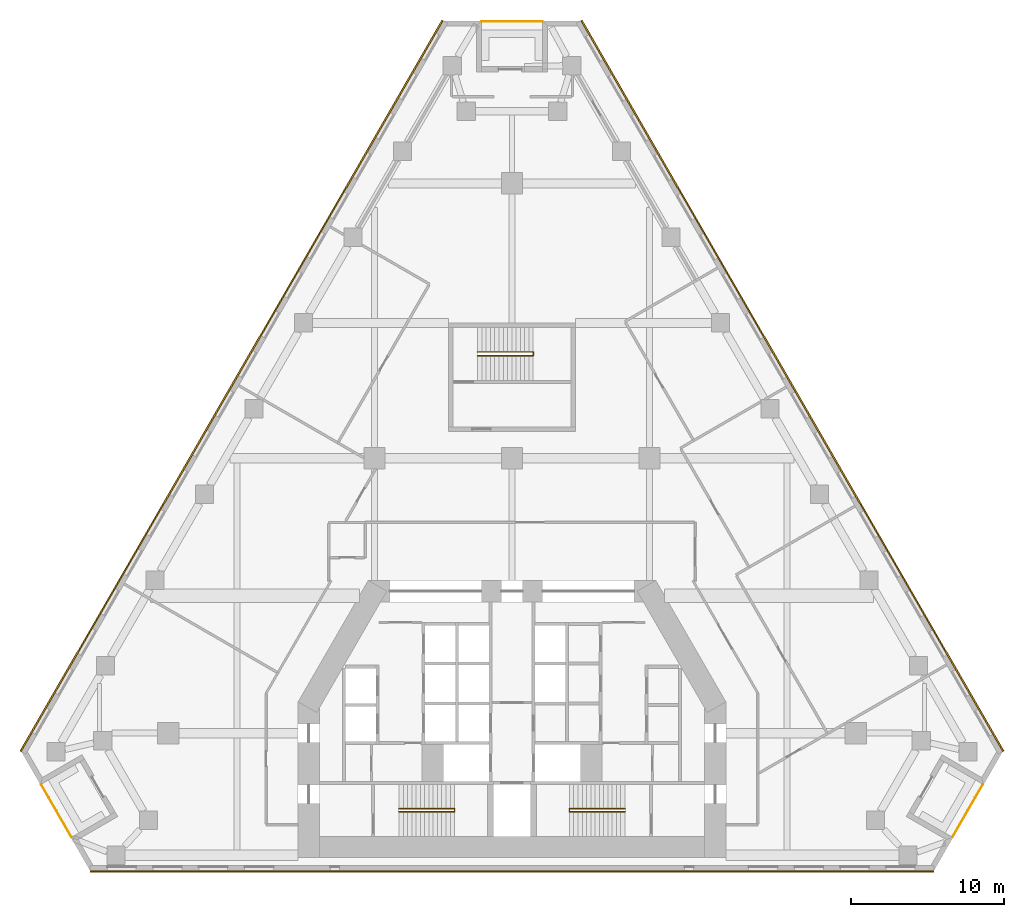
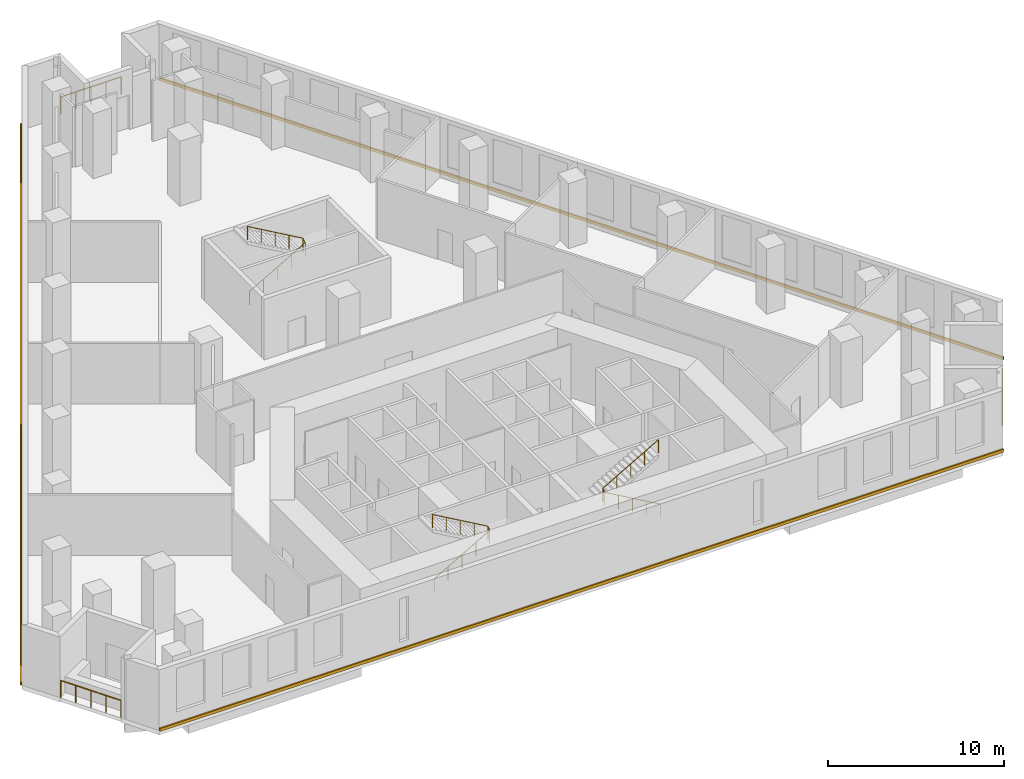
# One storey, part 10 of 10: 6 railings, 3 coverings.
"""IFC4 building model written with IfcOpenShell, lengths in metres."""

import ifcopenshell
import ifcopenshell.guid

model = None  # the IFC model being written
_history = None  # IfcOwnerHistory: only IFC2X3 demands one
_inside = {}  # id of a spatial element -> (the spatial element, [elements in it])
_under = {}  # id of a project, library or spatial element -> (it, [spatial elements below it])
_declared = {}  # id of a project -> (the project, [libraries it declares])
_typed = {}  # id of a type object -> (the type object, [elements of that type])
_made_of = {}  # id of a material, layer set ... -> (it, [elements and type objects made of it])


def new_model(schema):
    """Start an empty IFC model of exactly this schema.

    Asked for "IFC4X3", IfcOpenShell would pick the latest addendum, in which some entities
    have other attributes; the version numbers below select the first issue.
    IFC2X3 requires an IfcOwnerHistory on every rooted entity: one is made here for all.
    """
    global model, _history
    if schema == "IFC4X3":
        model = ifcopenshell.file(schema_version=(4, 3, 0, 0))
    else:
        model = ifcopenshell.file(schema=schema)
    _inside.clear()
    _under.clear()
    _declared.clear()
    _typed.clear()
    _made_of.clear()
    _history = None
    if model.schema == "IFC2X3":
        org = make("IfcOrganization", Name="unknown")
        user = make(
            "IfcPersonAndOrganization",
            ThePerson=make("IfcPerson", FamilyName="unknown"),
            TheOrganization=org,
        )
        app = make(
            "IfcApplication",
            ApplicationDeveloper=org,
            Version="unknown",
            ApplicationFullName="unknown",
            ApplicationIdentifier="unknown",
        )
        _history = make(
            "IfcOwnerHistory",
            OwningUser=user,
            OwningApplication=app,
            ChangeAction="ADDED",
            CreationDate=0,
        )
    return model


def make(cls, **values):
    """One entity of the class cls with the attributes given. An attribute that is None is left unset."""
    return model.create_entity(
        cls, **{name: value for name, value in values.items() if value is not None}
    )


def rooted(cls, **values):
    """An entity with a GlobalId (a new one), such as an element, a storey or a relation."""
    return make(cls, GlobalId=ifcopenshell.guid.new(), OwnerHistory=_history, **values)


def si_unit(unit_type, name, prefix=None):
    """IfcSIUnit, for example si_unit("LENGTHUNIT", "METRE", prefix="MILLI")."""
    return make("IfcSIUnit", UnitType=unit_type, Prefix=prefix, Name=name)


def assignment(units):
    """IfcUnitAssignment: the units of a project."""
    return None if units is None else make("IfcUnitAssignment", Units=units)


def point(xyz):
    """IfcCartesianPoint."""
    return None if xyz is None else make("IfcCartesianPoint", Coordinates=xyz)


def direction(xyz):
    """IfcDirection."""
    return None if xyz is None else make("IfcDirection", DirectionRatios=xyz)


def frame(location, z_axis=None, x_axis=None):
    """IfcAxis2Placement3D, a coordinate frame: its origin and axes. An axis left out is left unset."""
    return make(
        "IfcAxis2Placement3D",
        Location=point(location),
        Axis=direction(z_axis),
        RefDirection=direction(x_axis),
    )


def frame_2d(location, x_axis=None):
    """IfcAxis2Placement2D, a coordinate frame in the plane: its origin and x axis."""
    return make(
        "IfcAxis2Placement2D", Location=point(location), RefDirection=direction(x_axis)
    )


def origin():
    """The frame at (0, 0, 0) with its axes left unset."""
    return frame((0.0, 0.0, 0.0))


def origin_2d():
    """The frame at (0, 0) in the plane with its x axis left unset."""
    return frame_2d((0.0, 0.0))


def place(relative_to, where):
    """IfcLocalPlacement: puts the frame where relative to a parent placement (None: the world)."""
    return make(
        "IfcLocalPlacement", PlacementRelTo=relative_to, RelativePlacement=where
    )


def context(
    kind, dimensions, precision=None, world=None, true_north=None, identifier=None
):
    """IfcGeometricRepresentationContext, for example the 3D "Model" context."""
    return make(
        "IfcGeometricRepresentationContext",
        ContextIdentifier=identifier,
        ContextType=kind,
        CoordinateSpaceDimension=dimensions,
        Precision=precision,
        WorldCoordinateSystem=world,
        TrueNorth=true_north,
    )


def subcontext(parent, identifier, kind, view, scale=None):
    """IfcGeometricRepresentationSubContext, for example "Body" below "Model"."""
    return make(
        "IfcGeometricRepresentationSubContext",
        ContextIdentifier=identifier,
        ContextType=kind,
        ParentContext=parent,
        TargetScale=scale,
        TargetView=view,
    )


def project(units=None, contexts=None):
    """IfcProject with its units and contexts."""
    return rooted(
        "IfcProject",
        Name="project",
        RepresentationContexts=contexts,
        UnitsInContext=assignment(units),
    )


def spatial(cls, under=None, at=None, **own):
    """A site, building, storey or space (cls), placed at a placement, below another one or the project."""
    s = rooted(cls, ObjectPlacement=at, **own)
    if under is not None:
        _under.setdefault(under.id(), (under, []))[1].append(s)
    return s


def polyline(points):
    """IfcPolyline through the points."""
    return make("IfcPolyline", Points=[point(p) for p in points])


def profile(cls, at=None, kind="AREA", **sizes):
    """A parametric profile (cls). Its sizes go by their IFC names, for example OverallWidth=200.0."""
    return make(cls, ProfileType=kind, Position=at, **sizes)


def circle(**sizes):
    """IfcCircleProfileDef."""
    return profile("IfcCircleProfileDef", **sizes)


def outline(outer, holes=None, kind="AREA"):
    """IfcArbitraryClosedProfileDef: a profile drawn as a closed curve; with holes, ...WithVoids."""
    if holes is None:
        return make("IfcArbitraryClosedProfileDef", ProfileType=kind, OuterCurve=outer)
    return make(
        "IfcArbitraryProfileDefWithVoids",
        ProfileType=kind,
        OuterCurve=outer,
        InnerCurves=holes,
    )


def extrude(swept, where, along, depth):
    """IfcExtrudedAreaSolid: the profile swept, set in the frame where, extruded along a direction by depth."""
    return make(
        "IfcExtrudedAreaSolid",
        SweptArea=swept,
        Position=where,
        ExtrudedDirection=direction(along),
        Depth=depth,
    )


def shape(context_of_items, identifier, shape_type, items):
    """IfcShapeRepresentation: the items that make up one representation, for example the "Body"."""
    return make(
        "IfcShapeRepresentation",
        ContextOfItems=context_of_items,
        RepresentationIdentifier=identifier,
        RepresentationType=shape_type,
        Items=items,
    )


def material(Name=None, Category=None):
    """IfcMaterial."""
    return make("IfcMaterial", Name=Name, Category=Category)


def made_of(thing, what):
    """Note that an element or type object is made of a material, layer set ...; save() writes the relation."""
    if what is not None:
        _made_of.setdefault(what.id(), (what, []))[1].append(thing)
    return thing


def type_object(cls, material=None, **own):
    """A type object (cls), such as IfcWallType, which elements share."""
    return made_of(rooted(cls, **own), material)


def element(
    cls,
    number,
    at=None,
    inside=None,
    cuts=None,
    type_object=None,
    material=None,
    context=None,
    identifier="Body",
    shape_type=None,
    held_by="IfcProductDefinitionShape",
    body=None,
    shapes=None,
    **own,
):
    """One element of the class cls, such as IfcWall. Its Tag is "e" and its number.

    at: its placement. inside: the storey or other place that contains it. cuts: it is an
    opening in that element (IfcRelVoidsElement). A single representation is given by context,
    identifier, shape_type and body (its items); several are given by shapes. held_by: the class
    of the entity that holds the representations. save() writes the other relations.
    """
    e = rooted(cls, Tag="e%d" % number, ObjectPlacement=at, **own)
    if body is not None:
        shapes = [shape(context, identifier, shape_type, body)]
    if shapes is not None:
        e.Representation = make(held_by, Representations=shapes)
    if inside is not None:
        _inside.setdefault(inside.id(), (inside, []))[1].append(e)
    if cuts is not None:
        rooted(
            "IfcRelVoidsElement", RelatingBuildingElement=cuts, RelatedOpeningElement=e
        )
    if type_object is not None:
        _typed.setdefault(type_object.id(), (type_object, []))[1].append(e)
    return made_of(e, material)


def aggregate(whole, parts):
    """IfcRelAggregates: a whole, such as a stair, and the parts it consists of."""
    return rooted("IfcRelAggregates", RelatingObject=whole, RelatedObjects=parts)


def save(model, path):
    """Write the relations noted so far, then the file.

    IfcRelAggregates (storeys below a building ...), IfcRelContainedInSpatialStructure (elements
    in a storey), IfcRelDefinesByType, IfcRelAssociatesMaterial and IfcRelDeclares: one each for
    every whole, place, type object, material and project.
    """
    for whole, parts in _under.values():
        aggregate(whole, parts)
    for where, things in _inside.values():
        rooted(
            "IfcRelContainedInSpatialStructure",
            RelatedElements=things,
            RelatingStructure=where,
        )
    for kind, things in _typed.values():
        rooted("IfcRelDefinesByType", RelatedObjects=things, RelatingType=kind)
    for what, things in _made_of.values():
        rooted("IfcRelAssociatesMaterial", RelatedObjects=things, RelatingMaterial=what)
    for by, libraries in _declared.values():
        rooted("IfcRelDeclares", RelatingContext=by, RelatedDefinitions=libraries)
    model.write(path)


model = new_model("IFC4")

# Units and contexts
model_context = context("Model", 3, precision=1e-05, world=origin(), true_north=direction((0.0, 1.0)))
body_context = subcontext(model_context, "Body", "Model", "MODEL_VIEW")
ifc_project = project(units=[si_unit("LENGTHUNIT", "METRE"), si_unit("AREAUNIT", "SQUARE_METRE"), si_unit("VOLUMEUNIT", "CUBIC_METRE"), si_unit("PLANEANGLEUNIT", "RADIAN"), si_unit("MASSUNIT", "GRAM", prefix="KILO")], contexts=[model_context])

# Site, building, storey
site_placement = place(None, origin())
site = spatial("IfcSite", under=ifc_project, at=site_placement, CompositionType="ELEMENT")
building_placement = place(site_placement, origin())
building = spatial("IfcBuilding", under=site, at=building_placement, Name="Fogline Exchange Tower", CompositionType="ELEMENT")
storey_placement = place(building_placement, frame((0.0, 0.0, 38.5)))
storey = spatial("IfcBuildingStorey", under=building, at=storey_placement, Name="L07", CompositionType="ELEMENT", Elevation=38.5)

# Railings
ifc_material_1 = material(Name="Stainless steel 304", Category="steel")
railing_type_1 = type_object("IfcRailingType", Name="G1", PredefinedType="GUARDRAIL", material=ifc_material_1)
railing_1_placement = place(storey_placement, frame((-30.82373046875, 5.635986328125, 0.0)))
element("IfcRailing", 1, at=railing_1_placement, inside=storey, type_object=railing_type_1, Name="Balcony guard L07 SW", PredefinedType="GUARDRAIL", context=body_context, shape_type="SweptSolid", body=[
    extrude(circle(Radius=0.02392578125, at=origin_2d()), frame((0.0, 0.0, 1.17578125), z_axis=(0.500000102728, -0.866025344474, 0.0), x_axis=(0.866025344474, 0.500000102728, 0.0)), (0.0, 0.0, 1.0), 3.9580078125),
    extrude(circle(Radius=0.02099609375, at=origin_2d()), origin(), (0.0, 0.0, 1.0), 1.15185546875),
    extrude(circle(Radius=0.02099609375, at=origin_2d()), frame((0.49462890625, -0.85693359375, 0.0)), (0.0, 0.0, 1.0), 1.15185546875),
    extrude(circle(Radius=0.02099609375, at=origin_2d()), frame((0.989501953125, -1.7138671875, 0.0)), (0.0, 0.0, 1.0), 1.15185546875),
    extrude(circle(Radius=0.02099609375, at=origin_2d()), frame((1.484375, -2.57080078125, 0.0)), (0.0, 0.0, 1.0), 1.15185546875),
    extrude(circle(Radius=0.02099609375, at=origin_2d()), frame((1.97900390625, -3.427734375, 0.0)), (0.0, 0.0, 1.0), 1.15185546875),
])
railing_2_placement = place(storey_placement, frame((28.8447265625, 2.208251953125, 0.0)))
element("IfcRailing", 2, at=railing_2_placement, inside=storey, type_object=railing_type_1, Name="Balcony guard L07 SE", PredefinedType="GUARDRAIL", context=body_context, shape_type="SweptSolid", body=[
    extrude(circle(Radius=0.02392578125, at=origin_2d()), frame((0.0, 0.0, 1.17578125), z_axis=(0.500000102728, 0.866025344474, 0.0), x_axis=(-0.866025344474, 0.500000102728, 0.0)), (0.0, 0.0, 1.0), 3.9580078125),
    extrude(circle(Radius=0.02099609375, at=origin_2d()), origin(), (0.0, 0.0, 1.0), 1.15185546875),
    extrude(circle(Radius=0.02099609375, at=origin_2d()), frame((0.49462890625, 0.85693359375, 0.0)), (0.0, 0.0, 1.0), 1.15185546875),
    extrude(circle(Radius=0.02099609375, at=origin_2d()), frame((0.989501953125, 1.7138671875, 0.0)), (0.0, 0.0, 1.0), 1.15185546875),
    extrude(circle(Radius=0.02099609375, at=origin_2d()), frame((1.484375, 2.57080078125, 0.0)), (0.0, 0.0, 1.0), 1.15185546875),
    extrude(circle(Radius=0.02099609375, at=origin_2d()), frame((1.97900390625, 3.427734375, 0.0)), (0.0, 0.0, 1.0), 1.15185546875),
])
railing_3_placement = place(storey_placement, frame((1.97900390625, 55.5966796875, 0.0)))
element("IfcRailing", 3, at=railing_3_placement, inside=storey, type_object=railing_type_1, Name="Balcony guard L07 N", PredefinedType="GUARDRAIL", context=body_context, shape_type="SweptSolid", body=[
    extrude(circle(Radius=0.02392578125, at=origin_2d()), frame((0.0, 0.0, 1.17578125), z_axis=(-1.0, 0.0, 0.0), x_axis=(0.0, -1.0, 0.0)), (0.0, 0.0, 1.0), 3.9580078125),
    extrude(circle(Radius=0.02099609375, at=origin_2d()), origin(), (0.0, 0.0, 1.0), 1.15185546875),
    extrude(circle(Radius=0.02099609375, at=origin_2d()), frame((-0.989501953125, 0.0, 0.0)), (0.0, 0.0, 1.0), 1.15185546875),
    extrude(circle(Radius=0.02099609375, at=origin_2d()), frame((-1.97900390625, 0.0, 0.0)), (0.0, 0.0, 1.0), 1.15185546875),
    extrude(circle(Radius=0.02099609375, at=origin_2d()), frame((-2.968505859375, 0.0, 0.0)), (0.0, 0.0, 1.0), 1.15185546875),
    extrude(circle(Radius=0.02099609375, at=origin_2d()), frame((-3.9580078125, 0.0, 0.0)), (0.0, 0.0, 1.0), 1.15185546875),
])
ifc_material_2 = material(Name="Steel Q235B", Category="steel")
railing_type_2 = type_object("IfcRailingType", Name="RL-HR", PredefinedType="HANDRAIL", material=ifc_material_2)
railing_4_placement = place(storey_placement, frame((-7.39990234375, 3.85009765625, 0.16064453125)))
element("IfcRailing", 4, at=railing_4_placement, inside=storey, type_object=railing_type_2, Name="Handrail ST1", PredefinedType="HANDRAIL", context=body_context, shape_type="SweptSolid", body=[
    extrude(circle(Radius=0.02392578125, at=origin_2d()), frame((0.0, 0.0, 0.92578125), z_axis=(0.8672749571, 0.0, 0.497829437445), x_axis=(0.0, 1.0, 0.0)), (0.0, 0.0, 1.0), 4.197021484375),
    extrude(circle(Radius=0.02392578125, at=origin_2d()), frame((3.639892578125, 0.0, 3.01513671875), z_axis=(0.0, 0.779567027444, 0.626318808374), x_axis=(-1.0, 0.0, 0.0)), (0.0, 0.0, 1.0), 0.256591796875),
    extrude(circle(Radius=0.02392578125, at=origin_2d()), frame((3.639892578125, 0.199951171875, 3.17578125), z_axis=(-0.8672749571, 0.0, 0.497829437445), x_axis=(0.0, -1.0, 0.0)), (0.0, 0.0, 1.0), 4.197021484375),
    extrude(circle(Radius=0.02099609375, at=origin_2d()), origin(), (0.0, 0.0, 1.0), 0.90185546875),
    extrude(circle(Radius=0.02099609375, at=origin_2d()), frame((0.909912109375, 0.0, 0.5224609375)), (0.0, 0.0, 1.0), 0.90185546875),
    extrude(circle(Radius=0.02099609375, at=origin_2d()), frame((1.81982421875, 0.0, 1.044677734375)), (0.0, 0.0, 1.0), 0.90185546875),
    extrude(circle(Radius=0.02099609375, at=origin_2d()), frame((2.72998046875, 0.0, 1.56689453125)), (0.0, 0.0, 1.0), 0.90185546875),
    extrude(circle(Radius=0.02099609375, at=origin_2d()), frame((3.639892578125, 0.0, 2.08935546875)), (0.0, 0.0, 1.0), 0.90185546875),
    extrude(circle(Radius=0.02099609375, at=origin_2d()), frame((3.639892578125, 0.199951171875, 2.25)), (0.0, 0.0, 1.0), 0.90185546875),
    extrude(circle(Radius=0.02099609375, at=origin_2d()), frame((2.72998046875, 0.199951171875, 2.7724609375)), (0.0, 0.0, 1.0), 0.90185546875),
    extrude(circle(Radius=0.02099609375, at=origin_2d()), frame((1.81982421875, 0.199951171875, 3.294677734375)), (0.0, 0.0, 1.0), 0.90185546875),
    extrude(circle(Radius=0.02099609375, at=origin_2d()), frame((0.909912109375, 0.199951171875, 3.81689453125)), (0.0, 0.0, 1.0), 0.90185546875),
    extrude(circle(Radius=0.02099609375, at=origin_2d()), frame((0.0, 0.199951171875, 4.33935546875)), (0.0, 0.0, 1.0), 0.90185546875),
])
railing_5_placement = place(storey_placement, frame((7.39990234375, 3.85009765625, 0.16064453125)))
element("IfcRailing", 5, at=railing_5_placement, inside=storey, type_object=railing_type_2, Name="Handrail ST2", PredefinedType="HANDRAIL", context=body_context, shape_type="SweptSolid", body=[
    extrude(circle(Radius=0.02392578125, at=origin_2d()), frame((0.0, 0.0, 0.92578125), z_axis=(-0.8672749571, 0.0, 0.497829437445), x_axis=(0.0, -1.0, 0.0)), (0.0, 0.0, 1.0), 4.197021484375),
    extrude(circle(Radius=0.02392578125, at=origin_2d()), frame((-3.639892578125, 0.0, 3.01513671875), z_axis=(0.0, 0.779567027444, 0.626318808374), x_axis=(-1.0, 0.0, 0.0)), (0.0, 0.0, 1.0), 0.256591796875),
    extrude(circle(Radius=0.02392578125, at=origin_2d()), frame((-3.639892578125, 0.199951171875, 3.17578125), z_axis=(0.8672749571, 0.0, 0.497829437445), x_axis=(0.0, 1.0, 0.0)), (0.0, 0.0, 1.0), 4.197021484375),
    extrude(circle(Radius=0.02099609375, at=origin_2d()), origin(), (0.0, 0.0, 1.0), 0.90185546875),
    extrude(circle(Radius=0.02099609375, at=origin_2d()), frame((-0.909912109375, 0.0, 0.5224609375)), (0.0, 0.0, 1.0), 0.90185546875),
    extrude(circle(Radius=0.02099609375, at=origin_2d()), frame((-1.81982421875, 0.0, 1.044677734375)), (0.0, 0.0, 1.0), 0.90185546875),
    extrude(circle(Radius=0.02099609375, at=origin_2d()), frame((-2.72998046875, 0.0, 1.56689453125)), (0.0, 0.0, 1.0), 0.90185546875),
    extrude(circle(Radius=0.02099609375, at=origin_2d()), frame((-3.639892578125, 0.0, 2.08935546875)), (0.0, 0.0, 1.0), 0.90185546875),
    extrude(circle(Radius=0.02099609375, at=origin_2d()), frame((-3.639892578125, 0.199951171875, 2.25)), (0.0, 0.0, 1.0), 0.90185546875),
    extrude(circle(Radius=0.02099609375, at=origin_2d()), frame((-2.72998046875, 0.199951171875, 2.7724609375)), (0.0, 0.0, 1.0), 0.90185546875),
    extrude(circle(Radius=0.02099609375, at=origin_2d()), frame((-1.81982421875, 0.199951171875, 3.294677734375)), (0.0, 0.0, 1.0), 0.90185546875),
    extrude(circle(Radius=0.02099609375, at=origin_2d()), frame((-0.909912109375, 0.199951171875, 3.81689453125)), (0.0, 0.0, 1.0), 0.90185546875),
    extrude(circle(Radius=0.02099609375, at=origin_2d()), frame((0.0, 0.199951171875, 4.33935546875)), (0.0, 0.0, 1.0), 0.90185546875),
])
railing_6_placement = place(storey_placement, frame((-2.25, 33.70703125, 0.16064453125)))
element("IfcRailing", 6, at=railing_6_placement, inside=storey, type_object=railing_type_2, Name="Handrail ST3", PredefinedType="HANDRAIL", context=body_context, shape_type="SweptSolid", body=[
    extrude(circle(Radius=0.02392578125, at=origin_2d()), frame((0.0, 0.0, 0.92578125), z_axis=(0.8672749571, 0.0, 0.497829437445), x_axis=(0.0, 1.0, 0.0)), (0.0, 0.0, 1.0), 4.197021484375),
    extrude(circle(Radius=0.02392578125, at=origin_2d()), frame((3.639892578125, 0.0, 3.01513671875), z_axis=(0.0, 0.841285233109, 0.540591487681), x_axis=(-1.0, 0.0, 0.0)), (0.0, 0.0, 1.0), 0.297119140625),
    extrude(circle(Radius=0.02392578125, at=origin_2d()), frame((3.639892578125, 0.25, 3.17578125), z_axis=(-0.8672749571, 0.0, 0.497829437445), x_axis=(0.0, -1.0, 0.0)), (0.0, 0.0, 1.0), 4.197021484375),
    extrude(circle(Radius=0.02099609375, at=origin_2d()), origin(), (0.0, 0.0, 1.0), 0.90185546875),
    extrude(circle(Radius=0.02099609375, at=origin_2d()), frame((0.909912109375, 0.0, 0.5224609375)), (0.0, 0.0, 1.0), 0.90185546875),
    extrude(circle(Radius=0.02099609375, at=origin_2d()), frame((1.81982421875, 0.0, 1.044677734375)), (0.0, 0.0, 1.0), 0.90185546875),
    extrude(circle(Radius=0.02099609375, at=origin_2d()), frame((2.72998046875, 0.0, 1.56689453125)), (0.0, 0.0, 1.0), 0.90185546875),
    extrude(circle(Radius=0.02099609375, at=origin_2d()), frame((3.639892578125, 0.0, 2.08935546875)), (0.0, 0.0, 1.0), 0.90185546875),
    extrude(circle(Radius=0.02099609375, at=origin_2d()), frame((3.639892578125, 0.25, 2.25)), (0.0, 0.0, 1.0), 0.90185546875),
    extrude(circle(Radius=0.02099609375, at=origin_2d()), frame((2.72998046875, 0.25, 2.7724609375)), (0.0, 0.0, 1.0), 0.90185546875),
    extrude(circle(Radius=0.02099609375, at=origin_2d()), frame((1.81982421875, 0.25, 3.294677734375)), (0.0, 0.0, 1.0), 0.90185546875),
    extrude(circle(Radius=0.02099609375, at=origin_2d()), frame((0.909912109375, 0.25, 3.81689453125)), (0.0, 0.0, 1.0), 0.90185546875),
    extrude(circle(Radius=0.02099609375, at=origin_2d()), frame((0.0, 0.25, 4.33935546875)), (0.0, 0.0, 1.0), 0.90185546875),
])

# Coverings
ifc_material_3 = material(Name="Brick masonry", Category="masonry")
covering_type = type_object("IfcCoveringType", Name="SB1", PredefinedType="CLADDING", material=ifc_material_3)
covering_1_placement = place(storey_placement, origin())
element("IfcCovering", 7, at=covering_1_placement, inside=storey, type_object=covering_type, Name="Stringcourse band L07 S", PredefinedType="CLADDING", context=body_context, shape_type="SweptSolid", body=[
    extrude(outline(polyline([(-27.627685546875, 0.0), (-27.627685546875, -0.10009765625), (27.627685546875, -0.10009765625), (27.627685546875, 0.0), (-27.627685546875, 0.0)])), origin(), (0.0, 0.0, 1.0), 0.199951171875),
])
covering_2_placement = place(storey_placement, origin())
element("IfcCovering", 8, at=covering_2_placement, inside=storey, type_object=covering_type, Name="Stringcourse band L07 E", PredefinedType="CLADDING", context=body_context, shape_type="SweptSolid", body=[
    extrude(outline(polyline([(32.127685546875, 7.794189453125), (32.214111328125, 7.84423828125), (4.586669921875, 55.69677734375), (4.5, 55.646728515625), (32.127685546875, 7.794189453125)])), origin(), (0.0, 0.0, 1.0), 0.199951171875),
])
covering_3_placement = place(storey_placement, origin())
element("IfcCovering", 9, at=covering_3_placement, inside=storey, type_object=covering_type, Name="Stringcourse band L07 W", PredefinedType="CLADDING", context=body_context, shape_type="SweptSolid", body=[
    extrude(outline(polyline([(-4.5, 55.646728515625), (-4.586669921875, 55.69677734375), (-32.214111328125, 7.84423828125), (-32.127685546875, 7.794189453125), (-4.5, 55.646728515625)])), origin(), (0.0, 0.0, 1.0), 0.199951171875),
])

save(model, "model.ifc")
